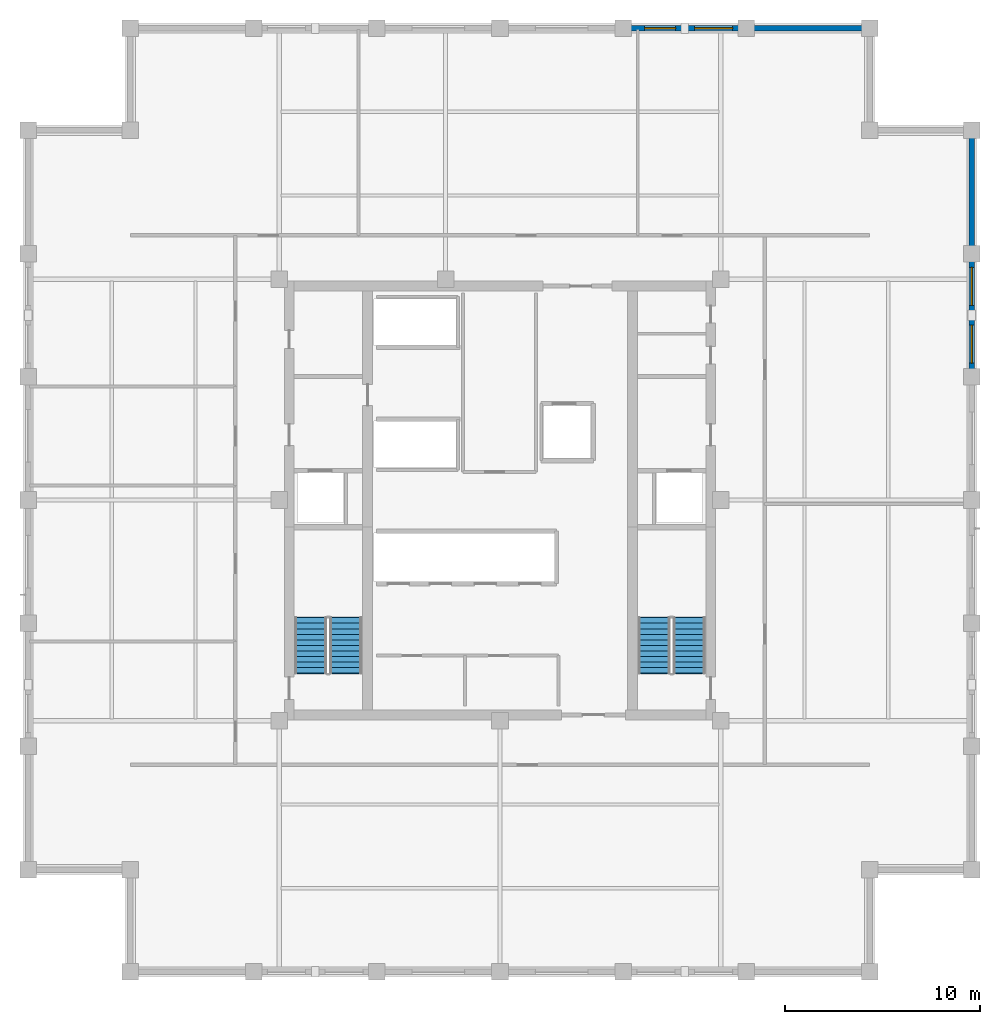
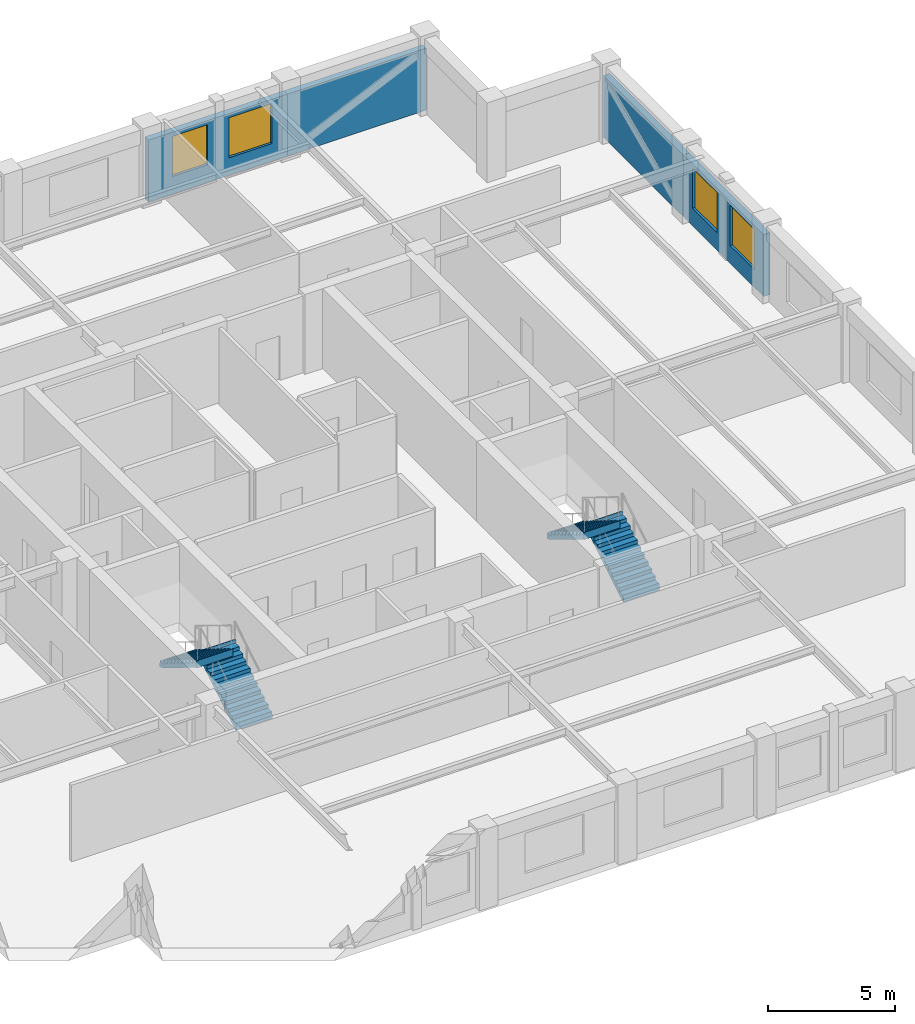
# One storey, part 8 of 9: 4 stair flights, 4 walls, 4 windows, 4 openings, 2 elements without a shape of their own.
"""IFC4 building model written with IfcOpenShell, lengths in metres."""

from ifc_helpers import new_model, si_unit, direction, frame, frame_2d, origin, place, context, subcontext, project, spatial, polyline, rectangle, outline, extrude, material, layer, layer_set, type_object, element, fill, aggregate, save


model = new_model("IFC4")

# Units and contexts
model_context = context("Model", 3, precision=1e-05, world=origin(), true_north=direction((0.0, 1.0)))
body_context = subcontext(model_context, "Body", "Model", "MODEL_VIEW")
ifc_project = project(units=[si_unit("LENGTHUNIT", "METRE"), si_unit("AREAUNIT", "SQUARE_METRE"), si_unit("VOLUMEUNIT", "CUBIC_METRE"), si_unit("PLANEANGLEUNIT", "RADIAN"), si_unit("MASSUNIT", "GRAM", prefix="KILO")], contexts=[model_context])

# Site, building, storey
site_placement = place(None, origin())
site = spatial("IfcSite", under=ifc_project, at=site_placement, CompositionType="ELEMENT")
building_placement = place(site_placement, origin())
building = spatial("IfcBuilding", under=site, at=building_placement, Name="Nhamokura Convention Tower", CompositionType="ELEMENT")
storey_placement = place(building_placement, frame((0.0, 0.0, 190.75)))
storey = spatial("IfcBuildingStorey", under=building, at=storey_placement, Name="L46", CompositionType="ELEMENT", Elevation=190.75)

# Wall, openings, windows
ifc_material_1 = material(Name="Bronze-pigmented precast concrete C45/55", Category="concrete")
ifc_layer = layer(ifc_material_1, 0.280029296875)
ifc_layer_set = layer_set([ifc_layer], Name="BronzePrecastSpandrel_280")
wall_type = type_object("IfcWallType", Name="BronzePrecastSpandrel_280", PredefinedType="USERDEFINED", material=ifc_layer_set)
wall_1_placement = place(storey_placement, frame((38.333251953125, 56.25, 0.0), z_axis=(0.0, 0.0, 1.0), x_axis=(1.0, 0.0, 0.0)))
wall_1 = element("IfcWall", 1, at=wall_1_placement, inside=storey, type_object=wall_type, Name="L46 Masonry-Frame Wall NORTH 4", ObjectType="SPANDREL_WALL", PredefinedType="USERDEFINED", context=body_context, shape_type="SweptSolid", body=[
    extrude(rectangle(XDim=6.33349609375, YDim=0.280029296875, at=frame_2d((3.166748046875, 0.0))), origin(), (0.0, 0.0, 1.0), 2.985107421875),
])
opening_1_placement = place(wall_1_placement, frame((1.095703125, 0.0, 0.85009765625)))
opening_1 = element("IfcOpeningElement", 2, at=opening_1_placement, cuts=wall_1, Name="Opening W-11", PredefinedType="OPENING", context=body_context, shape_type="SweptSolid", body=[
    extrude(rectangle(XDim=1.60009765625, YDim=1.93505859375, at=frame_2d((0.800048828125, 0.967529296875))), frame((0.0, 0.14990234375, 0.0), z_axis=(0.0, -1.0, 0.0), x_axis=(1.0, 0.0, 0.0)), (0.0, 0.0, 1.0), 0.300048828125),
])
opening_2_placement = place(wall_1_placement, frame((3.675048828125, 0.0, 0.85009765625)))
opening_2 = element("IfcOpeningElement", 3, at=opening_2_placement, cuts=wall_1, Name="Opening W-08", PredefinedType="OPENING", context=body_context, shape_type="SweptSolid", body=[
    extrude(rectangle(XDim=1.949951171875, YDim=1.93505859375, at=frame_2d((0.97509765625, 0.967529296875))), frame((0.0, 0.14990234375, 0.0), z_axis=(0.0, -1.0, 0.0), x_axis=(1.0, 0.0, 0.0)), (0.0, 0.0, 1.0), 0.300048828125),
])
ifc_material_2 = material(Name="Solar-control bronze low-E double glass", Category="glass")
window_type_1 = type_object("IfcWindowType", Name="NotchCornerWindow_1600", PartitioningType="SINGLE_PANEL", PredefinedType="WINDOW", material=ifc_material_2)
window_1_placement = place(opening_1_placement, origin())
window_1 = element("IfcWindow", 4, at=window_1_placement, inside=storey, type_object=window_type_1, Name="L46 Facade Window NORTH 4-1", OverallHeight=1.93505859375, OverallWidth=1.60009765625, PartitioningType="SINGLE_PANEL", PredefinedType="WINDOW", context=body_context, shape_type="SweptSolid", body=[
    extrude(rectangle(XDim=1.60009765625, YDim=1.93505859375, at=frame_2d((0.800048828125, 0.967529296875))), frame((0.0, 0.030029296875, 0.0), z_axis=(0.0, -1.0, 0.0), x_axis=(1.0, 0.0, 0.0)), (0.0, 0.0, 1.0), 0.06005859375),
])
fill(opening_1, window_1)
ifc_material_3 = material(Name="Solar-control bronze low-E double glass", Category="glass")
window_type_2 = type_object("IfcWindowType", Name="OfficeModuleWindow_Z3_1950", PartitioningType="SINGLE_PANEL", PredefinedType="WINDOW", material=ifc_material_3)
window_2_placement = place(opening_2_placement, origin())
window_2 = element("IfcWindow", 5, at=window_2_placement, inside=storey, type_object=window_type_2, Name="L46 Facade Window NORTH 4-2", OverallHeight=1.93505859375, OverallWidth=1.949951171875, PartitioningType="SINGLE_PANEL", PredefinedType="WINDOW", context=body_context, shape_type="SweptSolid", body=[
    extrude(rectangle(XDim=1.949951171875, YDim=1.93505859375, at=frame_2d((0.97509765625, 0.967529296875))), frame((0.0, 0.030029296875, 0.0), z_axis=(0.0, -1.0, 0.0), x_axis=(1.0, 0.0, 0.0)), (0.0, 0.0, 1.0), 0.06005859375),
])
fill(opening_2, window_2)

# Wall
wall_2_placement = place(storey_placement, frame((44.666748046875, 56.25, 0.0), z_axis=(0.0, 0.0, 1.0), x_axis=(1.0, 0.0, 0.0)))
element("IfcWall", 6, at=wall_2_placement, inside=storey, type_object=wall_type, Name="L46 Braced-Bay Precast Wall NORTH 5", ObjectType="SPANDREL_WALL", PredefinedType="USERDEFINED", context=body_context, shape_type="SweptSolid", body=[
    extrude(rectangle(XDim=6.333251953125, YDim=0.280029296875, at=frame_2d((3.16650390625, 0.0))), origin(), (0.0, 0.0, 1.0), 2.985107421875),
])

# Wall, openings, windows
wall_3_placement = place(storey_placement, frame((56.25, 44.666748046875, 0.0), z_axis=(0.0, 0.0, 1.0), x_axis=(0.0, -1.0, 0.0)))
wall_3 = element("IfcWall", 7, at=wall_3_placement, inside=storey, type_object=wall_type, Name="L46 Masonry-Frame Wall EAST 4", ObjectType="SPANDREL_WALL", PredefinedType="USERDEFINED", context=body_context, shape_type="SweptSolid", body=[
    extrude(rectangle(XDim=6.33349609375, YDim=0.280029296875, at=frame_2d((3.166748046875, 0.0))), origin(), (0.0, 0.0, 1.0), 2.985107421875),
])
opening_3_placement = place(wall_3_placement, frame((0.708251953125, 0.0, 0.85009765625)))
opening_3 = element("IfcOpeningElement", 8, at=opening_3_placement, cuts=wall_3, Name="Opening W-08", PredefinedType="OPENING", context=body_context, shape_type="SweptSolid", body=[
    extrude(rectangle(XDim=1.949951171875, YDim=1.93505859375, at=frame_2d((0.97509765625, 0.967529296875))), frame((0.0, 0.14990234375, 0.0), z_axis=(0.0, -1.0, 0.0), x_axis=(1.0, 0.0, 0.0)), (0.0, 0.0, 1.0), 0.300048828125),
])
opening_4_placement = place(wall_3_placement, frame((3.675048828125, 0.0, 0.85009765625)))
opening_4 = element("IfcOpeningElement", 9, at=opening_4_placement, cuts=wall_3, Name="Opening W-08", PredefinedType="OPENING", context=body_context, shape_type="SweptSolid", body=[
    extrude(rectangle(XDim=1.949951171875, YDim=1.93505859375, at=frame_2d((0.97509765625, 0.967529296875))), frame((0.0, 0.14990234375, 0.0), z_axis=(0.0, -1.0, 0.0), x_axis=(1.0, 0.0, 0.0)), (0.0, 0.0, 1.0), 0.300048828125),
])
window_3_placement = place(opening_3_placement, origin())
window_3 = element("IfcWindow", 10, at=window_3_placement, inside=storey, type_object=window_type_2, Name="L46 Facade Window EAST 4-1", OverallHeight=1.93505859375, OverallWidth=1.949951171875, PartitioningType="SINGLE_PANEL", PredefinedType="WINDOW", context=body_context, shape_type="SweptSolid", body=[
    extrude(rectangle(XDim=1.949951171875, YDim=1.93505859375, at=frame_2d((0.97509765625, 0.967529296875))), frame((0.0, 0.030029296875, 0.0), z_axis=(0.0, -1.0, 0.0), x_axis=(1.0, 0.0, 0.0)), (0.0, 0.0, 1.0), 0.06005859375),
])
fill(opening_3, window_3)
window_4_placement = place(opening_4_placement, origin())
window_4 = element("IfcWindow", 11, at=window_4_placement, inside=storey, type_object=window_type_2, Name="L46 Facade Window EAST 4-2", OverallHeight=1.93505859375, OverallWidth=1.949951171875, PartitioningType="SINGLE_PANEL", PredefinedType="WINDOW", context=body_context, shape_type="SweptSolid", body=[
    extrude(rectangle(XDim=1.949951171875, YDim=1.93505859375, at=frame_2d((0.97509765625, 0.967529296875))), frame((0.0, 0.030029296875, 0.0), z_axis=(0.0, -1.0, 0.0), x_axis=(1.0, 0.0, 0.0)), (0.0, 0.0, 1.0), 0.06005859375),
])
fill(opening_4, window_4)

# Wall
wall_4_placement = place(storey_placement, frame((56.25, 51.0, 0.0), z_axis=(0.0, 0.0, 1.0), x_axis=(0.0, -1.0, 0.0)))
element("IfcWall", 12, at=wall_4_placement, inside=storey, type_object=wall_type, Name="L46 Braced-Bay Precast Wall EAST 5", ObjectType="SPANDREL_WALL", PredefinedType="USERDEFINED", context=body_context, shape_type="SweptSolid", body=[
    extrude(rectangle(XDim=6.333251953125, YDim=0.280029296875, at=frame_2d((3.16650390625, 0.0))), origin(), (0.0, 0.0, 1.0), 2.985107421875),
])

# Stair, stair flights
ifc_material_4 = material(Name="Concrete C40/50", Category="concrete")
stair_type = type_object("IfcStairType", Name="TowerCoreStair_1650", PredefinedType="HALF_TURN_STAIR", material=ifc_material_4)
stair_1_placement = place(storey_placement, origin())
stair_1 = element("IfcStair", 13, at=stair_1_placement, inside=storey, type_object=stair_type, Name="L46 West Core Smokeproof Stair ST-01", PredefinedType="HALF_TURN_STAIR")
ifc_material_5 = material(Name="Concrete C40/50", Category="concrete")
stair_flight_type = type_object("IfcStairFlightType", Name="TowerCoreStair_1650_Flight", PredefinedType="STRAIGHT", material=ifc_material_5)
stair_flight_1_placement = place(storey_placement, frame((24.074951171875, 23.10009765625, 0.0), z_axis=(0.0, 0.0, 1.0), x_axis=(0.0, 1.0, 0.0)))
stair_flight_1 = element("IfcStairFlight", 14, at=stair_flight_1_placement, type_object=stair_flight_type, Name="ST-01 flight 1", NumberOfRisers=11, NumberOfTreads=10, PredefinedType="STRAIGHT", RiserHeight=0.175, TreadLength=0.285, context=body_context, shape_type="SweptSolid", body=[
    extrude(outline(polyline([(-0.0419921875, 0.0), (0.0, 0.175048828125), (0.284912109375, 0.175048828125), (0.284912109375, 0.35009765625), (0.570068359375, 0.35009765625), (0.570068359375, 0.52490234375), (0.85498046875, 0.52490234375), (0.85498046875, 0.699951171875), (1.139892578125, 0.699951171875), (1.139892578125, 0.875), (1.425048828125, 0.875), (1.425048828125, 1.050048828125), (1.7099609375, 1.050048828125), (1.7099609375, 1.22509765625), (1.9951171875, 1.22509765625), (1.9951171875, 1.39990234375), (2.280029296875, 1.39990234375), (2.280029296875, 1.574951171875), (2.56494140625, 1.574951171875), (2.56494140625, 1.75), (2.85009765625, 1.75), (2.85009765625, 1.925048828125), (2.89208984375, 1.925048828125), (2.89208984375, 1.573974609375), (2.85009765625, 1.573974609375), (0.286376953125, 0.0), (0.02001953125, -0.1298828125), (-0.0419921875, -0.1298828125), (-0.0419921875, 0.0)])), frame((0.0, 0.824951171875, 0.0), z_axis=(0.0, -1.0, 0.0), x_axis=(1.0, 0.0, 0.0)), (0.0, 0.0, 1.0), 1.64990234375),
])
stair_flight_2_placement = place(storey_placement, frame((22.27490234375, 25.949951171875, 1.925048828125), z_axis=(0.0, 0.0, 1.0), x_axis=(0.0, -1.0, 0.0)))
stair_flight_2 = element("IfcStairFlight", 15, at=stair_flight_2_placement, type_object=stair_flight_type, Name="ST-01 flight 2", NumberOfRisers=11, NumberOfTreads=10, PredefinedType="STRAIGHT", RiserHeight=0.175, TreadLength=0.285, context=body_context, shape_type="SweptSolid", body=[
    extrude(outline(polyline([(-0.0419921875, 0.0), (0.0, 0.175048828125), (0.284912109375, 0.175048828125), (0.284912109375, 0.35009765625), (0.570068359375, 0.35009765625), (0.570068359375, 0.52490234375), (0.85498046875, 0.52490234375), (0.85498046875, 0.699951171875), (1.139892578125, 0.699951171875), (1.139892578125, 0.875), (1.425048828125, 0.875), (1.425048828125, 1.050048828125), (1.7099609375, 1.050048828125), (1.7099609375, 1.22509765625), (1.9951171875, 1.22509765625), (1.9951171875, 1.39990234375), (2.280029296875, 1.39990234375), (2.280029296875, 1.574951171875), (2.56494140625, 1.574951171875), (2.56494140625, 1.75), (2.85009765625, 1.75), (2.85009765625, 1.925048828125), (2.89208984375, 1.925048828125), (2.89208984375, 1.573974609375), (2.85009765625, 1.573974609375), (0.286376953125, 0.0), (0.02001953125, -0.1298828125), (-0.0419921875, -0.1298828125), (-0.0419921875, 0.0)])), frame((0.0, 0.824951171875, 0.0), z_axis=(0.0, -1.0, 0.0), x_axis=(1.0, 0.0, 0.0)), (0.0, 0.0, 1.0), 1.64990234375),
])
aggregate(stair_1, [stair_flight_1, stair_flight_2])

stair_2_placement = place(storey_placement, origin())
stair_2 = element("IfcStair", 16, at=stair_2_placement, inside=storey, type_object=stair_type, Name="L46 East Core Smokeproof Stair ST-02", PredefinedType="HALF_TURN_STAIR")
stair_flight_3_placement = place(storey_placement, frame((41.72509765625, 23.10009765625, 0.0), z_axis=(0.0, 0.0, 1.0), x_axis=(0.0, 1.0, 0.0)))
stair_flight_3 = element("IfcStairFlight", 17, at=stair_flight_3_placement, type_object=stair_flight_type, Name="ST-02 flight 1", NumberOfRisers=11, NumberOfTreads=10, PredefinedType="STRAIGHT", RiserHeight=0.175, TreadLength=0.285, context=body_context, shape_type="SweptSolid", body=[
    extrude(outline(polyline([(-0.0419921875, 0.0), (0.0, 0.175048828125), (0.284912109375, 0.175048828125), (0.284912109375, 0.35009765625), (0.570068359375, 0.35009765625), (0.570068359375, 0.52490234375), (0.85498046875, 0.52490234375), (0.85498046875, 0.699951171875), (1.139892578125, 0.699951171875), (1.139892578125, 0.875), (1.425048828125, 0.875), (1.425048828125, 1.050048828125), (1.7099609375, 1.050048828125), (1.7099609375, 1.22509765625), (1.9951171875, 1.22509765625), (1.9951171875, 1.39990234375), (2.280029296875, 1.39990234375), (2.280029296875, 1.574951171875), (2.56494140625, 1.574951171875), (2.56494140625, 1.75), (2.85009765625, 1.75), (2.85009765625, 1.925048828125), (2.89208984375, 1.925048828125), (2.89208984375, 1.573974609375), (2.85009765625, 1.573974609375), (0.286376953125, 0.0), (0.02001953125, -0.1298828125), (-0.0419921875, -0.1298828125), (-0.0419921875, 0.0)])), frame((0.0, 0.824951171875, 0.0), z_axis=(0.0, -1.0, 0.0), x_axis=(1.0, 0.0, 0.0)), (0.0, 0.0, 1.0), 1.64990234375),
])
stair_flight_4_placement = place(storey_placement, frame((39.925048828125, 25.949951171875, 1.925048828125), z_axis=(0.0, 0.0, 1.0), x_axis=(0.0, -1.0, 0.0)))
stair_flight_4 = element("IfcStairFlight", 18, at=stair_flight_4_placement, type_object=stair_flight_type, Name="ST-02 flight 2", NumberOfRisers=11, NumberOfTreads=10, PredefinedType="STRAIGHT", RiserHeight=0.175, TreadLength=0.285, context=body_context, shape_type="SweptSolid", body=[
    extrude(outline(polyline([(-0.0419921875, 0.0), (0.0, 0.175048828125), (0.284912109375, 0.175048828125), (0.284912109375, 0.35009765625), (0.570068359375, 0.35009765625), (0.570068359375, 0.52490234375), (0.85498046875, 0.52490234375), (0.85498046875, 0.699951171875), (1.139892578125, 0.699951171875), (1.139892578125, 0.875), (1.425048828125, 0.875), (1.425048828125, 1.050048828125), (1.7099609375, 1.050048828125), (1.7099609375, 1.22509765625), (1.9951171875, 1.22509765625), (1.9951171875, 1.39990234375), (2.280029296875, 1.39990234375), (2.280029296875, 1.574951171875), (2.56494140625, 1.574951171875), (2.56494140625, 1.75), (2.85009765625, 1.75), (2.85009765625, 1.925048828125), (2.89208984375, 1.925048828125), (2.89208984375, 1.573974609375), (2.85009765625, 1.573974609375), (0.286376953125, 0.0), (0.02001953125, -0.1298828125), (-0.0419921875, -0.1298828125), (-0.0419921875, 0.0)])), frame((0.0, 0.824951171875, 0.0), z_axis=(0.0, -1.0, 0.0), x_axis=(1.0, 0.0, 0.0)), (0.0, 0.0, 1.0), 1.64990234375),
])
aggregate(stair_2, [stair_flight_3, stair_flight_4])

save(model, "model.ifc")
